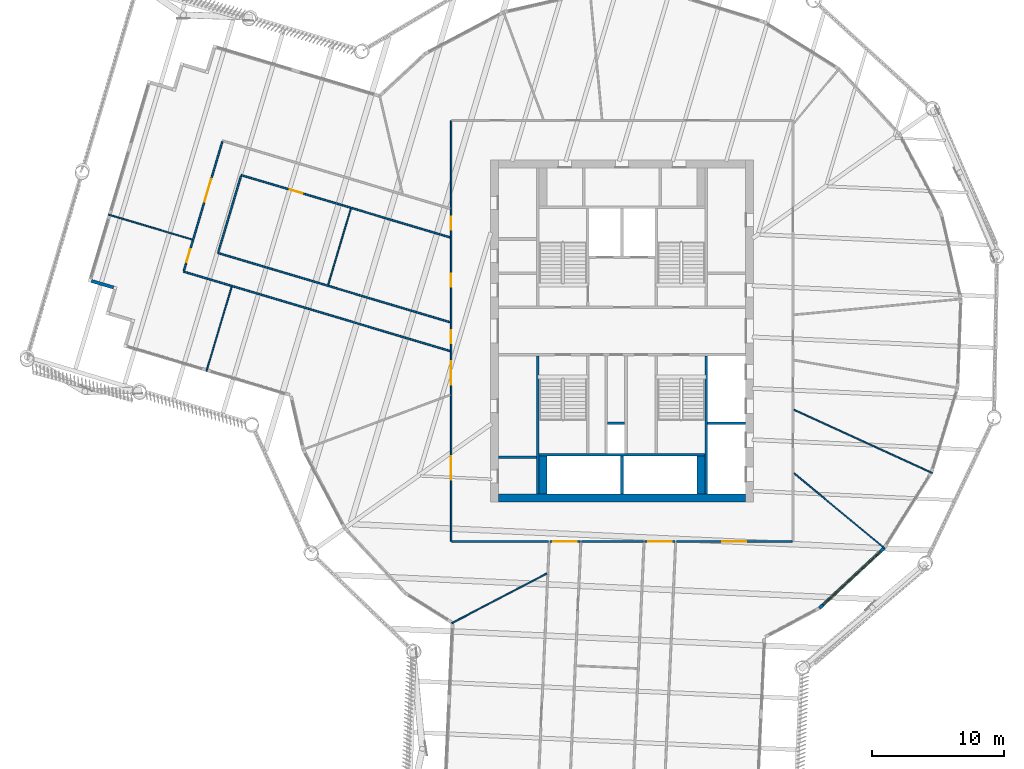
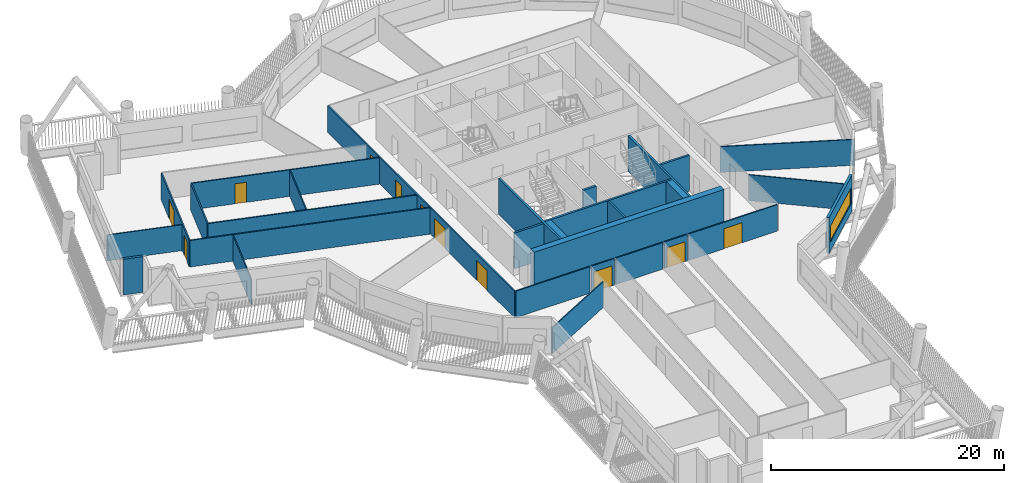
# One storey, part 4 of 24: 29 walls, 11 doors, 1 window, 12 openings.
"""IFC4 building model written with IfcOpenShell, lengths in metres."""

from ifc_helpers import new_model, si_unit, direction, frame, frame_2d, origin, place, context, subcontext, project, spatial, rectangle, extrude, material, layer, layer_set, type_object, element, fill, save


model = new_model("IFC4")

# Units and contexts
model_context = context("Model", 3, precision=1e-05, world=origin(), true_north=direction((0.0, 1.0)))
body_context = subcontext(model_context, "Body", "Model", "MODEL_VIEW")
ifc_project = project(units=[si_unit("LENGTHUNIT", "METRE"), si_unit("AREAUNIT", "SQUARE_METRE"), si_unit("VOLUMEUNIT", "CUBIC_METRE"), si_unit("PLANEANGLEUNIT", "RADIAN"), si_unit("MASSUNIT", "GRAM", prefix="KILO")], contexts=[model_context])

# Site, building, storey
site_placement = place(None, origin())
site = spatial("IfcSite", under=ifc_project, at=site_placement, CompositionType="ELEMENT")
building_placement = place(site_placement, origin())
building = spatial("IfcBuilding", under=site, at=building_placement, Name="Tarsis Ring Headquarters", CompositionType="ELEMENT")
storey_placement = place(building_placement, frame((0.0, 0.0, 216.0)))
storey = spatial("IfcBuildingStorey", under=building, at=storey_placement, Name="L50", CompositionType="ELEMENT", Elevation=216.0)

# Walls
ifc_material_1 = material(Name="Blockwork", Category="masonry")
ifc_layer_1 = layer(ifc_material_1, 0.199951171875)
ifc_layer_set_1 = layer_set([ifc_layer_1], Name="Core blockwork wall 200")
wall_type_1 = type_object("IfcWallType", Name="Core blockwork wall 200", PredefinedType="PARTITIONING", material=ifc_layer_set_1)
wall_1_placement = place(storey_placement, frame((-9.39990234375, -9.60009765625, 0.0), z_axis=(0.0, 0.0, 1.0), x_axis=(1.0, 0.0, 0.0)))
element("IfcWall", 1, at=wall_1_placement, inside=storey, type_object=wall_type_1, Name="Core partition WD1", PredefinedType="PARTITIONING", context=body_context, shape_type="SweptSolid", body=[
    extrude(rectangle(XDim=2.89990234375, YDim=0.199951171875, at=frame_2d((1.449951171875, 0.0))), origin(), (0.0, 0.0, 1.0), 3.739990234375),
])
wall_2_placement = place(storey_placement, frame((-1.10009765625, -7.0, 0.0), z_axis=(0.0, 0.0, 1.0), x_axis=(1.0, 0.0, 0.0)))
element("IfcWall", 2, at=wall_2_placement, inside=storey, type_object=wall_type_1, Name="Core partition SP2", PredefinedType="PARTITIONING", context=body_context, shape_type="SweptSolid", body=[
    extrude(rectangle(XDim=1.300048828125, YDim=0.199951171875, at=frame_2d((0.64990234375, 0.0))), origin(), (0.0, 0.0, 1.0), 3.739990234375),
])
ifc_material_2 = material(Name="Concrete C50/60", Category="concrete")
ifc_layer_2 = layer(ifc_material_2, 0.60009765625)
ifc_layer_set_2 = layer_set([ifc_layer_2], Name="Core wall 600 C50/60")
wall_type_2 = type_object("IfcWallType", Name="Core wall 600 C50/60", PredefinedType="SHEAR", material=ifc_layer_set_2)
wall_3_placement = place(storey_placement, frame((-9.39990234375, -12.699951171875, 0.0), z_axis=(0.0, 0.0, 1.0), x_axis=(1.0, 0.0, 0.0)))
element("IfcWall", 3, at=wall_3_placement, inside=storey, type_object=wall_type_2, Name="Core wall OS", PredefinedType="SHEAR", context=body_context, shape_type="SweptSolid", body=[
    extrude(rectangle(XDim=18.7998046875, YDim=0.60009765625, at=frame_2d((9.39990234375, 0.0))), origin(), (0.0, 0.0, 1.0), 3.739990234375),
])
ifc_material_3 = material(Name="Gypsum board on steel studs", Category="steel")
ifc_layer_3 = layer(ifc_material_3, 0.10009765625)
ifc_layer_set_3 = layer_set([ifc_layer_3], Name="FL partition 100 unrated")
wall_type_3 = type_object("IfcWallType", Name="FL partition 100 unrated", PredefinedType="PARTITIONING", material=ifc_layer_set_3)
wall_4_placement = place(storey_placement, frame((13.07275390625, -5.985107421875, 0.0), z_axis=(0.0, 0.0, 1.0), x_axis=(0.909237245497, -0.416278310029, 0.0)))
element("IfcWall", 4, at=wall_4_placement, inside=storey, type_object=wall_type_3, Name="Partition PW3", PredefinedType="PARTITIONING", context=body_context, shape_type="SweptSolid", body=[
    extrude(rectangle(XDim=11.570068359375, YDim=0.10009765625, at=frame_2d((5.78515625, 0.0))), origin(), (0.0, 0.0, 1.0), 2.699951171875),
])
wall_5_placement = place(storey_placement, frame((13.084716796875, -10.82470703125, 0.0), z_axis=(0.0, 0.0, 1.0), x_axis=(0.770517445504, -0.637418909489, 0.0)))
element("IfcWall", 5, at=wall_5_placement, inside=storey, type_object=wall_type_3, Name="Partition PW3", PredefinedType="PARTITIONING", context=body_context, shape_type="SweptSolid", body=[
    extrude(rectangle(XDim=8.966064453125, YDim=0.10009765625, at=frame_2d((4.48291015625, 0.0))), origin(), (0.0, 0.0, 1.0), 2.699951171875),
])
wall_6_placement = place(storey_placement, frame((-12.946044921875, -22.21484375, 0.0), z_axis=(0.0, 0.0, 1.0), x_axis=(0.885801064879, 0.464065160789, 0.0)))
element("IfcWall", 6, at=wall_6_placement, inside=storey, type_object=wall_type_3, Name="Partition PW3", PredefinedType="PARTITIONING", context=body_context, shape_type="SweptSolid", body=[
    extrude(rectangle(XDim=8.155517578125, YDim=0.10009765625, at=frame_2d((4.07763671875, 0.0))), origin(), (0.0, 0.0, 1.0), 2.699951171875),
])
wall_7_placement = place(storey_placement, frame((-31.59814453125, -3.0498046875, 0.0), z_axis=(0.0, 0.0, 1.0), x_axis=(0.285673419455, 0.958327030516, 0.0)))
element("IfcWall", 7, at=wall_7_placement, inside=storey, type_object=wall_type_3, Name="Partition PW3", PredefinedType="PARTITIONING", context=body_context, shape_type="SweptSolid", body=[
    extrude(rectangle(XDim=6.68994140625, YDim=0.10009765625, at=frame_2d((3.344970703125, 0.0))), origin(), (0.0, 0.0, 1.0), 2.699951171875),
])
wall_8_placement = place(storey_placement, frame((-39.0478515625, 8.8544921875, 0.0), z_axis=(0.0, 0.0, 1.0), x_axis=(0.958322734176, -0.285687831666, 0.0)))
element("IfcWall", 8, at=wall_8_placement, inside=storey, type_object=wall_type_3, Name="Partition PW3", PredefinedType="PARTITIONING", context=body_context, shape_type="SweptSolid", body=[
    extrude(rectangle(XDim=6.64013671875, YDim=0.10009765625, at=frame_2d((3.320068359375, 0.0))), origin(), (0.0, 0.0, 1.0), 2.699951171875),
])
wall_9_placement = place(storey_placement, frame((-22.348388671875, 3.510986328125, 0.0), z_axis=(0.0, 0.0, 1.0), x_axis=(0.285689856924, 0.958322130419, 0.0)))
element("IfcWall", 9, at=wall_9_placement, inside=storey, type_object=wall_type_3, Name="Partition PW3", PredefinedType="PARTITIONING", context=body_context, shape_type="SweptSolid", body=[
    extrude(rectangle(XDim=6.0400390625, YDim=0.10009765625, at=frame_2d((3.02001953125, 0.0))), origin(), (0.0, 0.0, 1.0), 2.699951171875),
])

# Wall, openings, doors
ifc_layer_4 = layer(ifc_material_3, 0.125)
ifc_layer_set_4 = layer_set([ifc_layer_4], Name="FL partition 125 EI 60 H2770")
wall_type_4 = type_object("IfcWallType", Name="FL partition 125 EI 60 H2770", PredefinedType="PARTITIONING", material=ifc_layer_set_4)
wall_10_placement = place(storey_placement, frame((-13.0, -16.0, 0.0), z_axis=(0.0, 0.0, 1.0), x_axis=(0.0, 1.0, 0.0)))
wall_10 = element("IfcWall", 10, at=wall_10_placement, inside=storey, type_object=wall_type_4, Name="Partition PW1", PredefinedType="PARTITIONING", context=body_context, shape_type="SweptSolid", body=[
    extrude(rectangle(XDim=32.0, YDim=0.125, at=frame_2d((16.0, 0.0))), origin(), (0.0, 0.0, 1.0), 2.77001953125),
])
opening_1_placement = place(wall_10_placement, frame((4.6826171875, 0.0, 0.0)))
opening_1 = element("IfcOpeningElement", 11, at=opening_1_placement, cuts=wall_10, Name="Opening D50.14", PredefinedType="OPENING", context=body_context, shape_type="SweptSolid", body=[
    extrude(rectangle(XDim=1.800048828125, YDim=2.10009765625, at=frame_2d((0.89990234375, 1.050048828125))), frame((0.0, 0.072509765625, 0.0), z_axis=(0.0, -1.0, 0.0), x_axis=(1.0, 0.0, 0.0)), (0.0, 0.0, 1.0), 0.14501953125),
])
opening_2_placement = place(wall_10_placement, frame((11.91259765625, 0.0, 0.0)))
opening_2 = element("IfcOpeningElement", 12, at=opening_2_placement, cuts=wall_10, Name="Opening D50.15", PredefinedType="OPENING", context=body_context, shape_type="SweptSolid", body=[
    extrude(rectangle(XDim=1.800048828125, YDim=2.10009765625, at=frame_2d((0.89990234375, 1.050048828125))), frame((0.0, 0.072509765625, 0.0), z_axis=(0.0, -1.0, 0.0), x_axis=(1.0, 0.0, 0.0)), (0.0, 0.0, 1.0), 0.14501953125),
])
opening_3_placement = place(wall_10_placement, frame((19.37548828125, 0.0, 0.0)))
opening_3 = element("IfcOpeningElement", 13, at=opening_3_placement, cuts=wall_10, Name="Opening D50.16", PredefinedType="OPENING", context=body_context, shape_type="SweptSolid", body=[
    extrude(rectangle(XDim=1.0, YDim=2.10009765625, at=frame_2d((0.5, 1.050048828125))), frame((0.0, 0.072509765625, 0.0), z_axis=(0.0, -1.0, 0.0), x_axis=(1.0, 0.0, 0.0)), (0.0, 0.0, 1.0), 0.14501953125),
])
opening_4_placement = place(wall_10_placement, frame((15.055419921875, 0.0, 0.0)))
opening_4 = element("IfcOpeningElement", 14, at=opening_4_placement, cuts=wall_10, Name="Opening D50.22", PredefinedType="OPENING", context=body_context, shape_type="SweptSolid", body=[
    extrude(rectangle(XDim=1.0, YDim=2.10009765625, at=frame_2d((0.5, 1.050048828125))), frame((0.0, 0.072509765625, 0.0), z_axis=(0.0, -1.0, 0.0), x_axis=(1.0, 0.0, 0.0)), (0.0, 0.0, 1.0), 0.14501953125),
])
opening_5_placement = place(wall_10_placement, frame((23.695556640625, 0.0, 0.0)))
opening_5 = element("IfcOpeningElement", 15, at=opening_5_placement, cuts=wall_10, Name="Opening D50.23", PredefinedType="OPENING", context=body_context, shape_type="SweptSolid", body=[
    extrude(rectangle(XDim=1.0, YDim=2.10009765625, at=frame_2d((0.5, 1.050048828125))), frame((0.0, 0.072509765625, 0.0), z_axis=(0.0, -1.0, 0.0), x_axis=(1.0, 0.0, 0.0)), (0.0, 0.0, 1.0), 0.14501953125),
])
ifc_material_4 = material(Name="Fire-rated timber door leaf in steel frame", Category="steel")
door_type_1 = type_object("IfcDoorType", Name="FL door FD60-1000", OperationType="NOTDEFINED", PredefinedType="DOOR", material=ifc_material_4)
door_1_placement = place(opening_3_placement, origin())
door_1 = element("IfcDoor", 16, at=door_1_placement, inside=storey, type_object=door_type_1, Name="Door D50.16", OperationType="SINGLE_SWING_RIGHT", OverallHeight=2.10009765625, OverallWidth=1.0, PredefinedType="DOOR", context=body_context, shape_type="SweptSolid", body=[
    extrude(rectangle(XDim=1.0, YDim=2.10009765625, at=frame_2d((0.5, 1.050048828125))), frame((0.0, 0.02490234375, 0.0), z_axis=(0.0, -1.0, 0.0), x_axis=(1.0, 0.0, 0.0)), (0.0, 0.0, 1.0), 0.050048828125),
])
fill(opening_3, door_1)
door_2_placement = place(opening_4_placement, origin())
door_2 = element("IfcDoor", 17, at=door_2_placement, inside=storey, type_object=door_type_1, Name="Door D50.22", OperationType="SINGLE_SWING_RIGHT", OverallHeight=2.10009765625, OverallWidth=1.0, PredefinedType="DOOR", context=body_context, shape_type="SweptSolid", body=[
    extrude(rectangle(XDim=1.0, YDim=2.10009765625, at=frame_2d((0.5, 1.050048828125))), frame((0.0, 0.02490234375, 0.0), z_axis=(0.0, -1.0, 0.0), x_axis=(1.0, 0.0, 0.0)), (0.0, 0.0, 1.0), 0.050048828125),
])
fill(opening_4, door_2)
door_3_placement = place(opening_5_placement, origin())
door_3 = element("IfcDoor", 18, at=door_3_placement, inside=storey, type_object=door_type_1, Name="Door D50.23", OperationType="SINGLE_SWING_LEFT", OverallHeight=2.10009765625, OverallWidth=1.0, PredefinedType="DOOR", context=body_context, shape_type="SweptSolid", body=[
    extrude(rectangle(XDim=1.0, YDim=2.10009765625, at=frame_2d((0.5, 1.050048828125))), frame((0.0, 0.02490234375, 0.0), z_axis=(0.0, -1.0, 0.0), x_axis=(1.0, 0.0, 0.0)), (0.0, 0.0, 1.0), 0.050048828125),
])
fill(opening_5, door_3)
door_type_2 = type_object("IfcDoorType", Name="FL door FD60-1800", OperationType="DOUBLE_DOOR_SINGLE_SWING", PredefinedType="DOOR", material=ifc_material_4)
door_4_placement = place(opening_1_placement, origin())
door_4 = element("IfcDoor", 19, at=door_4_placement, inside=storey, type_object=door_type_2, Name="Door D50.14", OperationType="DOUBLE_DOOR_SINGLE_SWING", OverallHeight=2.10009765625, OverallWidth=1.800048828125, PredefinedType="DOOR", context=body_context, shape_type="SweptSolid", body=[
    extrude(rectangle(XDim=1.800048828125, YDim=2.10009765625, at=frame_2d((0.89990234375, 1.050048828125))), frame((0.0, 0.02490234375, 0.0), z_axis=(0.0, -1.0, 0.0), x_axis=(1.0, 0.0, 0.0)), (0.0, 0.0, 1.0), 0.050048828125),
])
fill(opening_1, door_4)
door_5_placement = place(opening_2_placement, origin())
door_5 = element("IfcDoor", 20, at=door_5_placement, inside=storey, type_object=door_type_2, Name="Door D50.15", OperationType="DOUBLE_DOOR_SINGLE_SWING", OverallHeight=2.10009765625, OverallWidth=1.800048828125, PredefinedType="DOOR", context=body_context, shape_type="SweptSolid", body=[
    extrude(rectangle(XDim=1.800048828125, YDim=2.10009765625, at=frame_2d((0.89990234375, 1.050048828125))), frame((0.0, 0.02490234375, 0.0), z_axis=(0.0, -1.0, 0.0), x_axis=(1.0, 0.0, 0.0)), (0.0, 0.0, 1.0), 0.050048828125),
])
fill(opening_2, door_5)

# Wall
wall_11_placement = place(storey_placement, frame((-12.93994140625, -16.0, 0.0), z_axis=(0.0, 0.0, 1.0), x_axis=(1.0, 0.0, 0.0)))
element("IfcWall", 21, at=wall_11_placement, inside=storey, type_object=wall_type_4, Name="Partition PW1", PredefinedType="PARTITIONING", context=body_context, shape_type="SweptSolid", body=[
    extrude(rectangle(XDim=7.343017578125, YDim=0.125, at=frame_2d((3.67138671875, 0.0))), origin(), (0.0, 0.0, 1.0), 2.77001953125),
])

# Wall, opening, door
wall_12_placement = place(storey_placement, frame((-5.468994140625, -16.0, 0.0), z_axis=(0.0, 0.0, 1.0), x_axis=(1.0, 0.0, 0.0)))
wall_12 = element("IfcWall", 22, at=wall_12_placement, inside=storey, type_object=wall_type_4, Name="Partition PW1", PredefinedType="PARTITIONING", context=body_context, shape_type="SweptSolid", body=[
    extrude(rectangle(XDim=2.274658203125, YDim=0.125, at=frame_2d((1.13720703125, 0.0))), origin(), (0.0, 0.0, 1.0), 2.77001953125),
])
opening_6_placement = place(wall_12_placement, frame((0.23876953125, 0.0, 0.0)))
opening_6 = element("IfcOpeningElement", 23, at=opening_6_placement, cuts=wall_12, Name="Opening D50.20", PredefinedType="OPENING", context=body_context, shape_type="SweptSolid", body=[
    extrude(rectangle(XDim=1.800048828125, YDim=2.10009765625, at=frame_2d((0.89990234375, 1.050048828125))), frame((0.0, 0.072509765625, 0.0), z_axis=(0.0, -1.0, 0.0), x_axis=(1.0, 0.0, 0.0)), (0.0, 0.0, 1.0), 0.14501953125),
])
door_6_placement = place(opening_6_placement, origin())
door_6 = element("IfcDoor", 24, at=door_6_placement, inside=storey, type_object=door_type_2, Name="Door D50.20", OperationType="DOUBLE_DOOR_SINGLE_SWING", OverallHeight=2.10009765625, OverallWidth=1.800048828125, PredefinedType="DOOR", context=body_context, shape_type="SweptSolid", body=[
    extrude(rectangle(XDim=1.800048828125, YDim=2.10009765625, at=frame_2d((0.89990234375, 1.050048828125))), frame((0.0, 0.02490234375, 0.0), z_axis=(0.0, -1.0, 0.0), x_axis=(1.0, 0.0, 0.0)), (0.0, 0.0, 1.0), 0.050048828125),
])
fill(opening_6, door_6)

# Wall
wall_13_placement = place(storey_placement, frame((-3.066650390625, -16.0, 0.0), z_axis=(0.0, 0.0, 1.0), x_axis=(1.0, 0.0, 0.0)))
element("IfcWall", 25, at=wall_13_placement, inside=storey, type_object=wall_type_4, Name="Partition PW1", PredefinedType="PARTITIONING", context=body_context, shape_type="SweptSolid", body=[
    extrude(rectangle(XDim=4.67724609375, YDim=0.125, at=frame_2d((2.338623046875, 0.0))), origin(), (0.0, 0.0, 1.0), 2.77001953125),
])

# Wall, opening, door
wall_14_placement = place(storey_placement, frame((1.73828125, -16.0, 0.0), z_axis=(0.0, 0.0, 1.0), x_axis=(1.0, 0.0, 0.0)))
wall_14 = element("IfcWall", 26, at=wall_14_placement, inside=storey, type_object=wall_type_4, Name="Partition PW1", PredefinedType="PARTITIONING", context=body_context, shape_type="SweptSolid", body=[
    extrude(rectangle(XDim=2.274658203125, YDim=0.125, at=frame_2d((1.13720703125, 0.0))), origin(), (0.0, 0.0, 1.0), 2.77001953125),
])
opening_7_placement = place(wall_14_placement, frame((0.23876953125, 0.0, 0.0)))
opening_7 = element("IfcOpeningElement", 27, at=opening_7_placement, cuts=wall_14, Name="Opening D50.21", PredefinedType="OPENING", context=body_context, shape_type="SweptSolid", body=[
    extrude(rectangle(XDim=1.800048828125, YDim=2.10009765625, at=frame_2d((0.89990234375, 1.050048828125))), frame((0.0, 0.072509765625, 0.0), z_axis=(0.0, -1.0, 0.0), x_axis=(1.0, 0.0, 0.0)), (0.0, 0.0, 1.0), 0.14501953125),
])
door_7_placement = place(opening_7_placement, origin())
door_7 = element("IfcDoor", 28, at=door_7_placement, inside=storey, type_object=door_type_2, Name="Door D50.21", OperationType="DOUBLE_DOOR_SINGLE_SWING", OverallHeight=2.10009765625, OverallWidth=1.800048828125, PredefinedType="DOOR", context=body_context, shape_type="SweptSolid", body=[
    extrude(rectangle(XDim=1.800048828125, YDim=2.10009765625, at=frame_2d((0.89990234375, 1.050048828125))), frame((0.0, 0.02490234375, 0.0), z_axis=(0.0, -1.0, 0.0), x_axis=(1.0, 0.0, 0.0)), (0.0, 0.0, 1.0), 0.050048828125),
])
fill(opening_7, door_7)

wall_15_placement = place(storey_placement, frame((4.140869140625, -16.0, 0.0), z_axis=(0.0, 0.0, 1.0), x_axis=(1.0, 0.0, 0.0)))
wall_15 = element("IfcWall", 29, at=wall_15_placement, inside=storey, type_object=wall_type_4, Name="Partition PW1", PredefinedType="PARTITIONING", context=body_context, shape_type="SweptSolid", body=[
    extrude(rectangle(XDim=8.797119140625, YDim=0.125, at=frame_2d((4.3984375, 0.0))), origin(), (0.0, 0.0, 1.0), 2.77001953125),
])
opening_8_placement = place(wall_15_placement, frame((3.497314453125, 0.0, 0.0)))
opening_8 = element("IfcOpeningElement", 30, at=opening_8_placement, cuts=wall_15, Name="Opening D50.10", PredefinedType="OPENING", context=body_context, shape_type="SweptSolid", body=[
    extrude(rectangle(XDim=1.800048828125, YDim=2.10009765625, at=frame_2d((0.89990234375, 1.050048828125))), frame((0.0, 0.072509765625, 0.0), z_axis=(0.0, -1.0, 0.0), x_axis=(1.0, 0.0, 0.0)), (0.0, 0.0, 1.0), 0.14501953125),
])
door_8_placement = place(opening_8_placement, origin())
door_8 = element("IfcDoor", 31, at=door_8_placement, inside=storey, type_object=door_type_2, Name="Door D50.10", OperationType="DOUBLE_DOOR_SINGLE_SWING", OverallHeight=2.10009765625, OverallWidth=1.800048828125, PredefinedType="DOOR", context=body_context, shape_type="SweptSolid", body=[
    extrude(rectangle(XDim=1.800048828125, YDim=2.10009765625, at=frame_2d((0.89990234375, 1.050048828125))), frame((0.0, 0.02490234375, 0.0), z_axis=(0.0, -1.0, 0.0), x_axis=(1.0, 0.0, 0.0)), (0.0, 0.0, 1.0), 0.050048828125),
])
fill(opening_8, door_8)

# Walls
wall_16_placement = place(storey_placement, frame((-33.33740234375, 4.522705078125, 0.0), z_axis=(0.0, 0.0, 1.0), x_axis=(0.958321933596, -0.285690517149, 0.0)))
element("IfcWall", 32, at=wall_16_placement, inside=storey, type_object=wall_type_4, Name="Partition PW1", PredefinedType="PARTITIONING", context=body_context, shape_type="SweptSolid", body=[
    extrude(rectangle(XDim=21.141845703125, YDim=0.125, at=frame_2d((10.57080078125, 0.0))), origin(), (0.0, 0.0, 1.0), 2.77001953125),
])
wall_17_placement = place(storey_placement, frame((-30.724853515625, 5.93505859375, 0.0), z_axis=(0.0, 0.0, 1.0), x_axis=(0.95832145162, -0.285692133889, 0.0)))
element("IfcWall", 33, at=wall_17_placement, inside=storey, type_object=wall_type_4, Name="Partition PW1", PredefinedType="PARTITIONING", context=body_context, shape_type="SweptSolid", body=[
    extrude(rectangle(XDim=18.415771484375, YDim=0.125, at=frame_2d((9.2080078125, 0.0))), origin(), (0.0, 0.0, 1.0), 2.77001953125),
])

# Wall, opening, door
wall_18_placement = place(storey_placement, frame((-28.95947265625, 11.857666015625, 0.0), z_axis=(0.0, 0.0, 1.0), x_axis=(0.958322719321, -0.285687881495, 0.0)))
wall_18 = element("IfcWall", 34, at=wall_18_placement, inside=storey, type_object=wall_type_4, Name="Partition PW1", PredefinedType="PARTITIONING", context=body_context, shape_type="SweptSolid", body=[
    extrude(rectangle(XDim=16.573486328125, YDim=0.125, at=frame_2d((8.28662109375, 0.0))), origin(), (0.0, 0.0, 1.0), 2.77001953125),
])
opening_9_placement = place(wall_18_placement, frame((3.85791015625, 0.0, 0.0)))
opening_9 = element("IfcOpeningElement", 35, at=opening_9_placement, cuts=wall_18, Name="Opening D50.17", PredefinedType="OPENING", context=body_context, shape_type="SweptSolid", body=[
    extrude(rectangle(XDim=1.0, YDim=2.10009765625, at=frame_2d((0.5, 1.050048828125))), frame((0.0, 0.072509765625, 0.0), z_axis=(0.0, -1.0, 0.0), x_axis=(1.0, 0.0, 0.0)), (0.0, 0.0, 1.0), 0.14501953125),
])
door_9_placement = place(opening_9_placement, origin())
door_9 = element("IfcDoor", 36, at=door_9_placement, inside=storey, type_object=door_type_1, Name="Door D50.17", OperationType="SINGLE_SWING_LEFT", OverallHeight=2.10009765625, OverallWidth=1.0, PredefinedType="DOOR", context=body_context, shape_type="SweptSolid", body=[
    extrude(rectangle(XDim=1.0, YDim=2.10009765625, at=frame_2d((0.5, 1.050048828125))), frame((0.0, 0.02490234375, 0.0), z_axis=(0.0, -1.0, 0.0), x_axis=(1.0, 0.0, 0.0)), (0.0, 0.0, 1.0), 0.050048828125),
])
fill(opening_9, door_9)

# Wall, openings, doors
wall_19_placement = place(storey_placement, frame((-33.3203125, 4.580078125, 0.0), z_axis=(0.0, 0.0, 1.0), x_axis=(0.285683978211, 0.95832388293, 0.0)))
wall_19 = element("IfcWall", 37, at=wall_19_placement, inside=storey, type_object=wall_type_4, Name="Partition PW1", PredefinedType="PARTITIONING", context=body_context, shape_type="SweptSolid", body=[
    extrude(rectangle(XDim=10.260009765625, YDim=0.125, at=frame_2d((5.1298828125, 0.0))), origin(), (0.0, 0.0, 1.0), 2.77001953125),
])
opening_10_placement = place(wall_19_placement, frame((0.70166015625, 0.0, 0.0)))
opening_10 = element("IfcOpeningElement", 38, at=opening_10_placement, cuts=wall_19, Name="Opening D50.01", PredefinedType="OPENING", context=body_context, shape_type="SweptSolid", body=[
    extrude(rectangle(XDim=1.0, YDim=2.10009765625, at=frame_2d((0.5, 1.050048828125))), frame((0.0, 0.072509765625, 0.0), z_axis=(0.0, -1.0, 0.0), x_axis=(1.0, 0.0, 0.0)), (0.0, 0.0, 1.0), 0.14501953125),
])
opening_11_placement = place(wall_19_placement, frame((5.49169921875, 0.0, 0.0)))
opening_11 = element("IfcOpeningElement", 39, at=opening_11_placement, cuts=wall_19, Name="Opening D50.02", PredefinedType="OPENING", context=body_context, shape_type="SweptSolid", body=[
    extrude(rectangle(XDim=1.800048828125, YDim=2.10009765625, at=frame_2d((0.89990234375, 1.050048828125))), frame((0.0, 0.072509765625, 0.0), z_axis=(0.0, -1.0, 0.0), x_axis=(1.0, 0.0, 0.0)), (0.0, 0.0, 1.0), 0.14501953125),
])
door_10_placement = place(opening_10_placement, origin())
door_10 = element("IfcDoor", 40, at=door_10_placement, inside=storey, type_object=door_type_1, Name="Door D50.01", OperationType="SINGLE_SWING_LEFT", OverallHeight=2.10009765625, OverallWidth=1.0, PredefinedType="DOOR", context=body_context, shape_type="SweptSolid", body=[
    extrude(rectangle(XDim=1.0, YDim=2.10009765625, at=frame_2d((0.5, 1.050048828125))), frame((0.0, 0.02490234375, 0.0), z_axis=(0.0, -1.0, 0.0), x_axis=(1.0, 0.0, 0.0)), (0.0, 0.0, 1.0), 0.050048828125),
])
fill(opening_10, door_10)
door_11_placement = place(opening_11_placement, origin())
door_11 = element("IfcDoor", 41, at=door_11_placement, inside=storey, type_object=door_type_2, Name="Door D50.02", OperationType="DOUBLE_DOOR_SINGLE_SWING", OverallHeight=2.10009765625, OverallWidth=1.800048828125, PredefinedType="DOOR", context=body_context, shape_type="SweptSolid", body=[
    extrude(rectangle(XDim=1.800048828125, YDim=2.10009765625, at=frame_2d((0.89990234375, 1.050048828125))), frame((0.0, 0.02490234375, 0.0), z_axis=(0.0, -1.0, 0.0), x_axis=(1.0, 0.0, 0.0)), (0.0, 0.0, 1.0), 0.050048828125),
])
fill(opening_11, door_11)

# Wall
wall_20_placement = place(storey_placement, frame((-30.707763671875, 5.99267578125, 0.0), z_axis=(0.0, 0.0, 1.0), x_axis=(0.285680498179, 0.958324920348, 0.0)))
element("IfcWall", 42, at=wall_20_placement, inside=storey, type_object=wall_type_4, Name="Partition PW1", PredefinedType="PARTITIONING", context=body_context, shape_type="SweptSolid", body=[
    extrude(rectangle(XDim=6.059814453125, YDim=0.125, at=frame_2d((3.02978515625, 0.0))), origin(), (0.0, 0.0, 1.0), 2.77001953125),
])

# Wall, opening, window
ifc_material_5 = material(Name="Terracotta clad insulated panel wall", Category="masonry")
ifc_layer_5 = layer(ifc_material_5, 0.25)
ifc_layer_set_5 = layer_set([ifc_layer_5], Name="Facade wall terracotta panel 250")
wall_type_5 = type_object("IfcWallType", Name="Facade wall terracotta panel 250", PredefinedType="STANDARD", material=ifc_layer_set_5)
wall_21_placement = place(storey_placement, frame((15.000244140625, -21.079345703125, 0.0), z_axis=(0.0, 0.0, 1.0), x_axis=(0.732547646503, 0.680715759773, 0.0)))
wall_21 = element("IfcWall", 43, at=wall_21_placement, inside=storey, type_object=wall_type_5, Name="External wall L50-18", PredefinedType="STANDARD", context=body_context, shape_type="SweptSolid", body=[
    extrude(rectangle(XDim=6.721435546875, YDim=0.25, at=frame_2d((3.36083984375, 0.0))), origin(), (0.0, 0.0, 1.0), 3.739990234375),
])
opening_12_placement = place(wall_21_placement, frame((0.3857421875, 0.0, 0.89990234375)))
opening_12 = element("IfcOpeningElement", 44, at=opening_12_placement, cuts=wall_21, Name="Opening WN07", PredefinedType="OPENING", context=body_context, shape_type="SweptSolid", body=[
    extrude(rectangle(XDim=5.949951171875, YDim=1.699951171875, at=frame_2d((2.97509765625, 0.85009765625))), frame((0.0, 0.135009765625, 0.0), z_axis=(0.0, -1.0, 0.0), x_axis=(1.0, 0.0, 0.0)), (0.0, 0.0, 1.0), 0.27001953125),
])
ifc_material_6 = material(Name="Aluminium framed double glazing", Category="aluminium")
window_type = type_object("IfcWindowType", Name="Facade window 5950 x 1700", PartitioningType="SINGLE_PANEL", PredefinedType="WINDOW", material=ifc_material_6)
window_placement = place(opening_12_placement, origin())
window = element("IfcWindow", 45, at=window_placement, inside=storey, type_object=window_type, Name="Window L50-18.1", OverallHeight=1.699951171875, OverallWidth=5.949951171875, PartitioningType="SINGLE_PANEL", PredefinedType="WINDOW", context=body_context, shape_type="SweptSolid", body=[
    extrude(rectangle(XDim=5.949951171875, YDim=1.699951171875, at=frame_2d((2.97509765625, 0.85009765625))), frame((0.0, 0.030029296875, 0.0), z_axis=(0.0, -1.0, 0.0), x_axis=(1.0, 0.0, 0.0)), (0.0, 0.0, 1.0), 0.06005859375),
])
fill(opening_12, window)

# Walls
wall_22_placement = place(storey_placement, frame((-40.343017578125, 3.809326171875, 0.0), z_axis=(0.0, 0.0, 1.0), x_axis=(0.958312560294, -0.285721957124, 0.0)))
element("IfcWall", 46, at=wall_22_placement, inside=storey, type_object=wall_type_5, Name="External wall L50-37", PredefinedType="STANDARD", context=body_context, shape_type="SweptSolid", body=[
    extrude(rectangle(XDim=1.75, YDim=0.25, at=frame_2d((0.875, 0.0))), origin(), (0.0, 0.0, 1.0), 3.739990234375),
])
ifc_material_7 = material(Name="Concrete C32/40", Category="concrete")
ifc_layer_6 = layer(ifc_material_7, 0.60009765625)
ifc_layer_set_6 = layer_set([ifc_layer_6], Name="Shaft end wall 600 C32/40")
wall_type_6 = type_object("IfcWallType", Name="Shaft end wall 600 C32/40", PredefinedType="SOLIDWALL", material=ifc_layer_set_6)
for number, where, z_axis, x_axis, name in (
    (47, (-6.0, -12.39990234375, 0.0), (0.0, 0.0, 1.0), (0.0, 1.0, 0.0), "Core shaft wall SNE1"),
    (48, (6.0, -12.39990234375, 0.0), (0.0, 0.0, 1.0), (0.0, 1.0, 0.0), "Core shaft wall SNE2"),
):
    element("IfcWall", number, at=place(storey_placement, frame(where, z_axis=z_axis, x_axis=x_axis)), inside=storey, type_object=wall_type_6, Name=name, PredefinedType="SOLIDWALL", context=body_context, shape_type="SweptSolid", body=[
        extrude(rectangle(XDim=2.89990234375, YDim=0.60009765625, at=frame_2d((1.449951171875, 0.0))), origin(), (0.0, 0.0, 1.0), 3.739990234375),
    ])
ifc_layer_7 = layer(ifc_material_7, 0.199951171875)
ifc_layer_set_7 = layer_set([ifc_layer_7], Name="Shaft wall 200 C32/40")
wall_type_7 = type_object("IfcWallType", Name="Shaft wall 200 C32/40", PredefinedType="SOLIDWALL", material=ifc_layer_set_7)
for number, where, z_axis, x_axis, name in (
    (49, (-6.39990234375, -12.39990234375, 0.0), (0.0, 0.0, 1.0), (0.0, 1.0, 0.0), "Core shaft wall WB1"),
    (50, (6.39990234375, -12.39990234375, 0.0), (0.0, 0.0, 1.0), (0.0, 1.0, 0.0), "Core shaft wall EB1"),
):
    element("IfcWall", number, at=place(storey_placement, frame(where, z_axis=z_axis, x_axis=x_axis)), inside=storey, type_object=wall_type_7, Name=name, PredefinedType="SOLIDWALL", context=body_context, shape_type="SweptSolid", body=[
        extrude(rectangle(XDim=10.5, YDim=0.199951171875, at=frame_2d((5.25, 0.0))), origin(), (0.0, 0.0, 1.0), 3.739990234375),
    ])
wall_23_placement = place(storey_placement, frame((-6.300048828125, -9.39990234375, 0.0), z_axis=(0.0, 0.0, 1.0), x_axis=(1.0, 0.0, 0.0)))
element("IfcWall", 51, at=wall_23_placement, inside=storey, type_object=wall_type_7, Name="Core shaft wall SB", PredefinedType="SOLIDWALL", context=body_context, shape_type="SweptSolid", body=[
    extrude(rectangle(XDim=12.60009765625, YDim=0.199951171875, at=frame_2d((6.300048828125, 0.0))), origin(), (0.0, 0.0, 1.0), 3.739990234375),
])
for number, where, z_axis, x_axis, name in (
    (52, (6.5, -7.0, 0.0), (0.0, 0.0, 1.0), (1.0, 0.0, 0.0), "Core shaft wall ED2"),
    (53, (0.0, -12.39990234375, 0.0), (0.0, 0.0, 1.0), (0.0, 1.0, 0.0), "Core shaft wall SD2"),
):
    element("IfcWall", number, at=place(storey_placement, frame(where, z_axis=z_axis, x_axis=x_axis)), inside=storey, type_object=wall_type_7, Name=name, PredefinedType="SOLIDWALL", context=body_context, shape_type="SweptSolid", body=[
        extrude(rectangle(XDim=2.89990234375, YDim=0.199951171875, at=frame_2d((1.449951171875, 0.0))), origin(), (0.0, 0.0, 1.0), 3.739990234375),
    ])

save(model, "model.ifc")
